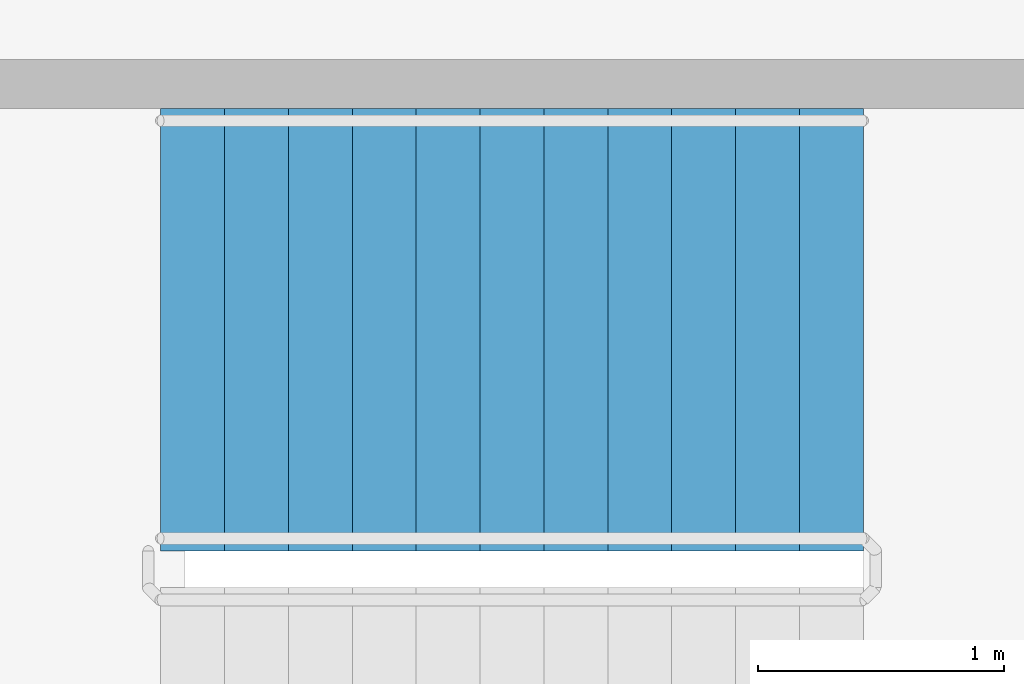
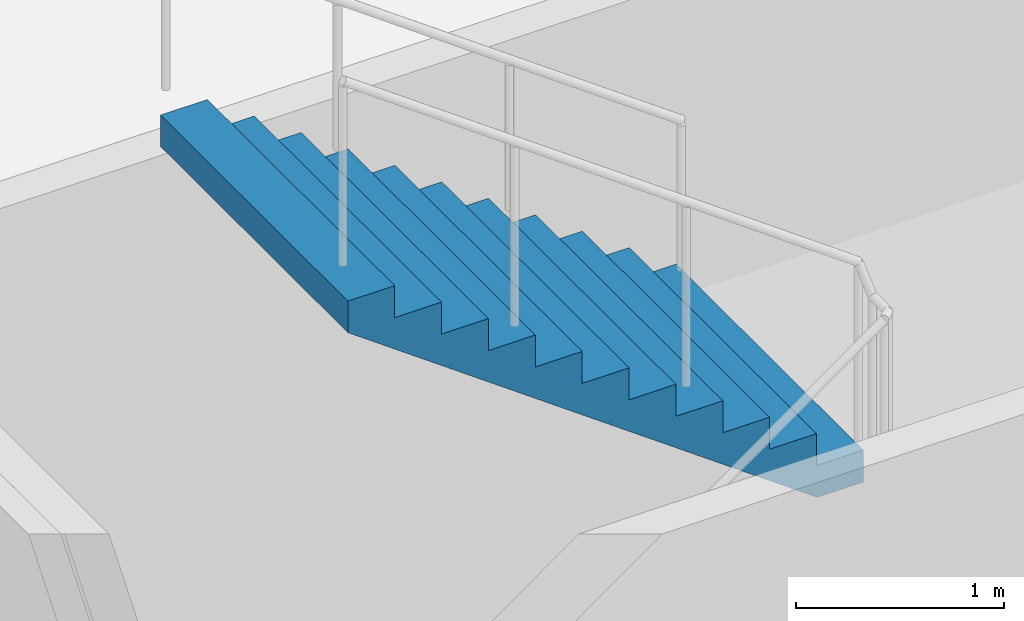
# One storey, part 27 of 49: 1 stair flight, 1 element without a shape of its own.
"""IFC4 building model written with IfcOpenShell, lengths in metres."""

from ifc_helpers import new_model, si_unit, direction, frame, origin, place, context, subcontext, project, spatial, faceted_brep, material, type_object, element, aggregate, save


model = new_model("IFC4")

# Units and contexts
model_context = context("Model", 3, precision=1e-05, world=origin(), true_north=direction((0.0, 1.0)))
body_context = subcontext(model_context, "Body", "Model", "MODEL_VIEW")
ifc_project = project(units=[si_unit("LENGTHUNIT", "METRE"), si_unit("AREAUNIT", "SQUARE_METRE"), si_unit("VOLUMEUNIT", "CUBIC_METRE"), si_unit("PLANEANGLEUNIT", "RADIAN"), si_unit("MASSUNIT", "GRAM", prefix="KILO")], contexts=[model_context])

# Site, building, storey
site_placement = place(None, origin())
site = spatial("IfcSite", under=ifc_project, at=site_placement, CompositionType="ELEMENT")
building_placement = place(site_placement, origin())
building = spatial("IfcBuilding", under=site, at=building_placement, Name="Ipe Terrace Towers", CompositionType="ELEMENT")
storey_placement = place(building_placement, frame((0.0, 0.0, 20.0)))
storey = spatial("IfcBuildingStorey", under=building, at=storey_placement, Name="L04", CompositionType="ELEMENT", Elevation=20.0)

# Stair, stair flight
ifc_material_1 = material(Name="Concrete C30/37", Category="concrete")
stair_type = type_object("IfcStairType", Name="Protected exit stair", PredefinedType="HALF_TURN_STAIR", material=ifc_material_1)
stair_placement = place(storey_placement, origin())
stair = element("IfcStair", 1, at=stair_placement, inside=storey, type_object=stair_type, Name="L04 Podium exit stair PS4", PredefinedType="HALF_TURN_STAIR")
ifc_material_2 = material(Name="Concrete C30/37", Category="concrete")
stair_flight_type = type_object("IfcStairFlightType", Name="Exit stair flight 1800", PredefinedType="STRAIGHT", material=ifc_material_2)
stair_flight_placement = place(storey_placement, frame((-54.409912109375, -20.550048828125, 2.25), z_axis=(0.0, 0.0, 1.0), x_axis=(-1.0, 0.0, 0.0)))
stair_flight = element("IfcStairFlight", 2, at=stair_flight_placement, type_object=stair_flight_type, Name="PS4 flight 2", NumberOfRisers=12, NumberOfTreads=11, PredefinedType="STRAIGHT", RiserHeight=0.1875, TreadLength=0.26, context=body_context, shape_type="Brep", body=[
    faceted_brep([(0.25634765625, -0.89990234375, 0.0), (2.860107421875, -0.89990234375, 1.877685546875), (2.860107421875, -0.89990234375, 2.0625), (2.60009765625, -0.89990234375, 2.0625), (2.60009765625, -0.89990234375, 1.875), (2.340087890625, -0.89990234375, 1.875), (2.340087890625, -0.89990234375, 1.6875), (2.080078125, -0.89990234375, 1.6875), (2.080078125, -0.89990234375, 1.5), (1.820068359375, -0.89990234375, 1.5), (1.820068359375, -0.89990234375, 1.3125), (1.56005859375, -0.89990234375, 1.3125), (1.56005859375, -0.89990234375, 1.125), (1.300048828125, -0.89990234375, 1.125), (1.300048828125, -0.89990234375, 0.9375), (1.0400390625, -0.89990234375, 0.9375), (1.0400390625, -0.89990234375, 0.75), (0.780029296875, -0.89990234375, 0.75), (0.780029296875, -0.89990234375, 0.5625), (0.52001953125, -0.89990234375, 0.5625), (0.52001953125, -0.89990234375, 0.375), (0.260009765625, -0.89990234375, 0.375), (0.260009765625, -0.89990234375, 0.1875), (0.0, -0.89990234375, 0.1875), (0.0, -0.89990234375, 0.0), (0.0, 0.89990234375, 0.0), (0.0, 0.89990234375, 0.1875), (0.260009765625, 0.89990234375, 0.1875), (0.260009765625, 0.89990234375, 0.375), (0.52001953125, 0.89990234375, 0.375), (0.52001953125, 0.89990234375, 0.5625), (0.780029296875, 0.89990234375, 0.5625), (0.780029296875, 0.89990234375, 0.75), (1.0400390625, 0.89990234375, 0.75), (1.0400390625, 0.89990234375, 0.9375), (1.300048828125, 0.89990234375, 0.9375), (1.300048828125, 0.89990234375, 1.125), (1.56005859375, 0.89990234375, 1.125), (1.56005859375, 0.89990234375, 1.3125), (1.820068359375, 0.89990234375, 1.3125), (1.820068359375, 0.89990234375, 1.5), (2.080078125, 0.89990234375, 1.5), (2.080078125, 0.89990234375, 1.6875), (2.340087890625, 0.89990234375, 1.6875), (2.340087890625, 0.89990234375, 1.875), (2.60009765625, 0.89990234375, 1.875), (2.60009765625, 0.89990234375, 2.0625), (2.860107421875, 0.89990234375, 2.0625), (2.860107421875, 0.89990234375, 1.877685546875), (0.25634765625, 0.89990234375, 0.0), (0.0, -0.300048828125, 0.1875), (0.0, -0.1201171875, 0.1875), (0.0, -0.06005859375, 0.1875), (0.0, -0.030029296875, 0.1875), (0.0, -0.010009765625, 0.1875), (0.0, 0.0, 0.1875), (0.0, 0.010009765625, 0.1875), (0.0, 0.030029296875, 0.1875), (0.0, 0.06005859375, 0.1875), (0.0, 0.1201171875, 0.1875), (0.0, 0.300048828125, 0.1875), (0.0, 0.300048828125, 0.0), (0.0, 0.1201171875, 0.0), (0.0, 0.06005859375, 0.0), (0.0, 0.030029296875, 0.0), (0.0, 0.010009765625, 0.0), (0.0, 0.0, 0.0), (0.0, -0.010009765625, 0.0), (0.0, -0.030029296875, 0.0), (0.0, -0.06005859375, 0.0), (0.0, -0.1201171875, 0.0), (0.0, -0.300048828125, 0.0), (0.260009765625, -0.300048828125, 0.1875), (0.260009765625, -0.1201171875, 0.1875), (0.260009765625, -0.06005859375, 0.1875), (0.260009765625, -0.030029296875, 0.1875), (0.260009765625, -0.010009765625, 0.1875), (0.260009765625, 0.0, 0.1875), (0.260009765625, 0.010009765625, 0.1875), (0.260009765625, 0.030029296875, 0.1875), (0.260009765625, 0.06005859375, 0.1875), (0.260009765625, 0.1201171875, 0.1875), (0.260009765625, 0.300048828125, 0.1875), (0.260009765625, -0.300048828125, 0.375), (0.260009765625, -0.1201171875, 0.375), (0.260009765625, -0.06005859375, 0.375), (0.260009765625, -0.030029296875, 0.375), (0.260009765625, -0.010009765625, 0.375), (0.260009765625, 0.0, 0.375), (0.260009765625, 0.010009765625, 0.375), (0.260009765625, 0.030029296875, 0.375), (0.260009765625, 0.06005859375, 0.375), (0.260009765625, 0.1201171875, 0.375), (0.260009765625, 0.300048828125, 0.375), (0.52001953125, -0.300048828125, 0.375), (0.52001953125, -0.1201171875, 0.375), (0.52001953125, -0.06005859375, 0.375), (0.52001953125, -0.030029296875, 0.375), (0.52001953125, -0.010009765625, 0.375), (0.52001953125, 0.0, 0.375), (0.52001953125, 0.010009765625, 0.375), (0.52001953125, 0.030029296875, 0.375), (0.52001953125, 0.06005859375, 0.375), (0.52001953125, 0.1201171875, 0.375), (0.52001953125, 0.300048828125, 0.375), (0.52001953125, -0.300048828125, 0.5625), (0.52001953125, -0.1201171875, 0.5625), (0.52001953125, -0.06005859375, 0.5625), (0.52001953125, -0.030029296875, 0.5625), (0.52001953125, -0.010009765625, 0.5625), (0.52001953125, 0.0, 0.5625), (0.52001953125, 0.010009765625, 0.5625), (0.52001953125, 0.030029296875, 0.5625), (0.52001953125, 0.06005859375, 0.5625), (0.52001953125, 0.1201171875, 0.5625), (0.52001953125, 0.300048828125, 0.5625), (0.780029296875, -0.300048828125, 0.5625), (0.780029296875, -0.1201171875, 0.5625), (0.780029296875, -0.06005859375, 0.5625), (0.780029296875, -0.030029296875, 0.5625), (0.780029296875, -0.010009765625, 0.5625), (0.780029296875, 0.0, 0.5625), (0.780029296875, 0.010009765625, 0.5625), (0.780029296875, 0.030029296875, 0.5625), (0.780029296875, 0.06005859375, 0.5625), (0.780029296875, 0.1201171875, 0.5625), (0.780029296875, 0.300048828125, 0.5625), (0.780029296875, -0.300048828125, 0.75), (0.780029296875, -0.1201171875, 0.75), (0.780029296875, -0.06005859375, 0.75), (0.780029296875, -0.030029296875, 0.75), (0.780029296875, -0.010009765625, 0.75), (0.780029296875, 0.0, 0.75), (0.780029296875, 0.010009765625, 0.75), (0.780029296875, 0.030029296875, 0.75), (0.780029296875, 0.06005859375, 0.75), (0.780029296875, 0.1201171875, 0.75), (0.780029296875, 0.300048828125, 0.75), (1.0400390625, -0.300048828125, 0.75), (1.0400390625, -0.1201171875, 0.75), (1.0400390625, -0.06005859375, 0.75), (1.0400390625, -0.030029296875, 0.75), (1.0400390625, -0.010009765625, 0.75), (1.0400390625, 0.0, 0.75), (1.0400390625, 0.010009765625, 0.75), (1.0400390625, 0.030029296875, 0.75), (1.0400390625, 0.06005859375, 0.75), (1.0400390625, 0.1201171875, 0.75), (1.0400390625, 0.300048828125, 0.75), (1.0400390625, -0.300048828125, 0.9375), (1.0400390625, -0.1201171875, 0.9375), (1.0400390625, -0.06005859375, 0.9375), (1.0400390625, -0.030029296875, 0.9375), (1.0400390625, -0.010009765625, 0.9375), (1.0400390625, 0.0, 0.9375), (1.0400390625, 0.010009765625, 0.9375), (1.0400390625, 0.030029296875, 0.9375), (1.0400390625, 0.06005859375, 0.9375), (1.0400390625, 0.1201171875, 0.9375), (1.0400390625, 0.300048828125, 0.9375), (1.300048828125, -0.300048828125, 0.9375), (1.300048828125, -0.1201171875, 0.9375), (1.300048828125, -0.06005859375, 0.9375), (1.300048828125, -0.030029296875, 0.9375), (1.300048828125, -0.010009765625, 0.9375), (1.300048828125, 0.0, 0.9375), (1.300048828125, 0.010009765625, 0.9375), (1.300048828125, 0.030029296875, 0.9375), (1.300048828125, 0.06005859375, 0.9375), (1.300048828125, 0.1201171875, 0.9375), (1.300048828125, 0.300048828125, 0.9375), (1.300048828125, -0.300048828125, 1.125), (1.300048828125, -0.1201171875, 1.125), (1.300048828125, -0.06005859375, 1.125), (1.300048828125, -0.030029296875, 1.125), (1.300048828125, -0.010009765625, 1.125), (1.300048828125, 0.0, 1.125), (1.300048828125, 0.010009765625, 1.125), (1.300048828125, 0.030029296875, 1.125), (1.300048828125, 0.06005859375, 1.125), (1.300048828125, 0.1201171875, 1.125), (1.300048828125, 0.300048828125, 1.125), (1.56005859375, -0.300048828125, 1.125), (1.56005859375, -0.1201171875, 1.125), (1.56005859375, -0.06005859375, 1.125), (1.56005859375, -0.030029296875, 1.125), (1.56005859375, -0.010009765625, 1.125), (1.56005859375, 0.0, 1.125), (1.56005859375, 0.010009765625, 1.125), (1.56005859375, 0.030029296875, 1.125), (1.56005859375, 0.06005859375, 1.125), (1.56005859375, 0.1201171875, 1.125), (1.56005859375, 0.300048828125, 1.125), (1.56005859375, -0.300048828125, 1.3125), (1.56005859375, -0.1201171875, 1.3125), (1.56005859375, -0.06005859375, 1.3125), (1.56005859375, -0.030029296875, 1.3125), (1.56005859375, -0.010009765625, 1.3125), (1.56005859375, 0.0, 1.3125), (1.56005859375, 0.010009765625, 1.3125), (1.56005859375, 0.030029296875, 1.3125), (1.56005859375, 0.06005859375, 1.3125), (1.56005859375, 0.1201171875, 1.3125), (1.56005859375, 0.300048828125, 1.3125), (1.820068359375, -0.300048828125, 1.3125), (1.820068359375, -0.1201171875, 1.3125), (1.820068359375, -0.06005859375, 1.3125), (1.820068359375, -0.030029296875, 1.3125), (1.820068359375, -0.010009765625, 1.3125), (1.820068359375, 0.0, 1.3125), (1.820068359375, 0.010009765625, 1.3125), (1.820068359375, 0.030029296875, 1.3125), (1.820068359375, 0.06005859375, 1.3125), (1.820068359375, 0.1201171875, 1.3125), (1.820068359375, 0.300048828125, 1.3125), (1.820068359375, -0.300048828125, 1.5), (1.820068359375, -0.1201171875, 1.5), (1.820068359375, -0.06005859375, 1.5), (1.820068359375, -0.030029296875, 1.5), (1.820068359375, -0.010009765625, 1.5), (1.820068359375, 0.0, 1.5), (1.820068359375, 0.010009765625, 1.5), (1.820068359375, 0.030029296875, 1.5), (1.820068359375, 0.06005859375, 1.5), (1.820068359375, 0.1201171875, 1.5), (1.820068359375, 0.300048828125, 1.5), (2.080078125, -0.300048828125, 1.5), (2.080078125, -0.1201171875, 1.5), (2.080078125, -0.06005859375, 1.5), (2.080078125, -0.030029296875, 1.5), (2.080078125, -0.010009765625, 1.5), (2.080078125, 0.0, 1.5), (2.080078125, 0.010009765625, 1.5), (2.080078125, 0.030029296875, 1.5), (2.080078125, 0.06005859375, 1.5), (2.080078125, 0.1201171875, 1.5), (2.080078125, 0.300048828125, 1.5), (2.080078125, -0.300048828125, 1.6875), (2.080078125, -0.1201171875, 1.6875), (2.080078125, -0.06005859375, 1.6875), (2.080078125, -0.030029296875, 1.6875), (2.080078125, -0.010009765625, 1.6875), (2.080078125, 0.0, 1.6875), (2.080078125, 0.010009765625, 1.6875), (2.080078125, 0.030029296875, 1.6875), (2.080078125, 0.06005859375, 1.6875), (2.080078125, 0.1201171875, 1.6875), (2.080078125, 0.300048828125, 1.6875), (2.340087890625, -0.300048828125, 1.6875), (2.340087890625, -0.1201171875, 1.6875), (2.340087890625, -0.06005859375, 1.6875), (2.340087890625, -0.030029296875, 1.6875), (2.340087890625, -0.010009765625, 1.6875), (2.340087890625, 0.0, 1.6875), (2.340087890625, 0.010009765625, 1.6875), (2.340087890625, 0.030029296875, 1.6875), (2.340087890625, 0.06005859375, 1.6875), (2.340087890625, 0.1201171875, 1.6875), (2.340087890625, 0.300048828125, 1.6875), (2.340087890625, -0.300048828125, 1.875), (2.340087890625, -0.1201171875, 1.875), (2.340087890625, -0.06005859375, 1.875), (2.340087890625, -0.030029296875, 1.875), (2.340087890625, -0.010009765625, 1.875), (2.340087890625, 0.0, 1.875), (2.340087890625, 0.010009765625, 1.875), (2.340087890625, 0.030029296875, 1.875), (2.340087890625, 0.06005859375, 1.875), (2.340087890625, 0.1201171875, 1.875), (2.340087890625, 0.300048828125, 1.875), (2.60009765625, -0.300048828125, 1.875), (2.60009765625, -0.1201171875, 1.875), (2.60009765625, -0.06005859375, 1.875), (2.60009765625, -0.030029296875, 1.875), (2.60009765625, -0.010009765625, 1.875), (2.60009765625, 0.0, 1.875), (2.60009765625, 0.010009765625, 1.875), (2.60009765625, 0.030029296875, 1.875), (2.60009765625, 0.06005859375, 1.875), (2.60009765625, 0.1201171875, 1.875), (2.60009765625, 0.300048828125, 1.875), (2.60009765625, -0.300048828125, 2.0625), (2.60009765625, -0.1201171875, 2.0625), (2.60009765625, -0.06005859375, 2.0625), (2.60009765625, -0.030029296875, 2.0625), (2.60009765625, -0.010009765625, 2.0625), (2.60009765625, 0.0, 2.0625), (2.60009765625, 0.010009765625, 2.0625), (2.60009765625, 0.030029296875, 2.0625), (2.60009765625, 0.06005859375, 2.0625), (2.60009765625, 0.1201171875, 2.0625), (2.60009765625, 0.300048828125, 2.0625), (2.860107421875, -0.300048828125, 2.0625), (2.860107421875, -0.1201171875, 2.0625), (2.860107421875, -0.06005859375, 2.0625), (2.860107421875, -0.030029296875, 2.0625), (2.860107421875, -0.010009765625, 2.0625), (2.860107421875, 0.0, 2.0625), (2.860107421875, 0.010009765625, 2.0625), (2.860107421875, 0.030029296875, 2.0625), (2.860107421875, 0.06005859375, 2.0625), (2.860107421875, 0.1201171875, 2.0625), (2.860107421875, 0.300048828125, 2.0625), (2.860107421875, -0.300048828125, 1.877685546875), (2.860107421875, -0.1201171875, 1.877685546875), (2.860107421875, -0.06005859375, 1.877685546875), (2.860107421875, -0.030029296875, 1.877685546875), (2.860107421875, -0.010009765625, 1.877685546875), (2.860107421875, 0.0, 1.877685546875), (2.860107421875, 0.010009765625, 1.877685546875), (2.860107421875, 0.030029296875, 1.877685546875), (2.860107421875, 0.06005859375, 1.877685546875), (2.860107421875, 0.1201171875, 1.877685546875), (2.860107421875, 0.300048828125, 1.877685546875), (0.25634765625, -0.300048828125, 0.0), (0.25634765625, -0.1201171875, 0.0), (0.25634765625, -0.06005859375, 0.0), (0.25634765625, -0.030029296875, 0.0), (0.25634765625, -0.010009765625, 0.0), (0.25634765625, 0.0, 0.0), (0.25634765625, 0.010009765625, 0.0), (0.25634765625, 0.030029296875, 0.0), (0.25634765625, 0.06005859375, 0.0), (0.25634765625, 0.1201171875, 0.0), (0.25634765625, 0.300048828125, 0.0)], [[[0, 1, 2, 3, 4, 5, 6, 7, 8, 9, 10, 11, 12, 13, 14, 15, 16, 17, 18, 19, 20, 21, 22, 23, 24]], [[25, 26, 27, 28, 29, 30, 31, 32, 33, 34, 35, 36, 37, 38, 39, 40, 41, 42, 43, 44, 45, 46, 47, 48, 49]], [[23, 50, 51, 52, 53, 54, 55, 56, 57, 58, 59, 60, 26, 25, 61, 62, 63, 64, 65, 66, 67, 68, 69, 70, 71, 24]], [[22, 72, 73, 74, 75, 76, 77, 78, 79, 80, 81, 82, 27, 26, 60, 59, 58, 57, 56, 55, 54, 53, 52, 51, 50, 23]], [[21, 83, 84, 85, 86, 87, 88, 89, 90, 91, 92, 93, 28, 27, 82, 81, 80, 79, 78, 77, 76, 75, 74, 73, 72, 22]], [[20, 94, 95, 96, 97, 98, 99, 100, 101, 102, 103, 104, 29, 28, 93, 92, 91, 90, 89, 88, 87, 86, 85, 84, 83, 21]], [[19, 105, 106, 107, 108, 109, 110, 111, 112, 113, 114, 115, 30, 29, 104, 103, 102, 101, 100, 99, 98, 97, 96, 95, 94, 20]], [[18, 116, 117, 118, 119, 120, 121, 122, 123, 124, 125, 126, 31, 30, 115, 114, 113, 112, 111, 110, 109, 108, 107, 106, 105, 19]], [[17, 127, 128, 129, 130, 131, 132, 133, 134, 135, 136, 137, 32, 31, 126, 125, 124, 123, 122, 121, 120, 119, 118, 117, 116, 18]], [[16, 138, 139, 140, 141, 142, 143, 144, 145, 146, 147, 148, 33, 32, 137, 136, 135, 134, 133, 132, 131, 130, 129, 128, 127, 17]], [[15, 149, 150, 151, 152, 153, 154, 155, 156, 157, 158, 159, 34, 33, 148, 147, 146, 145, 144, 143, 142, 141, 140, 139, 138, 16]], [[14, 160, 161, 162, 163, 164, 165, 166, 167, 168, 169, 170, 35, 34, 159, 158, 157, 156, 155, 154, 153, 152, 151, 150, 149, 15]], [[13, 171, 172, 173, 174, 175, 176, 177, 178, 179, 180, 181, 36, 35, 170, 169, 168, 167, 166, 165, 164, 163, 162, 161, 160, 14]], [[12, 182, 183, 184, 185, 186, 187, 188, 189, 190, 191, 192, 37, 36, 181, 180, 179, 178, 177, 176, 175, 174, 173, 172, 171, 13]], [[11, 193, 194, 195, 196, 197, 198, 199, 200, 201, 202, 203, 38, 37, 192, 191, 190, 189, 188, 187, 186, 185, 184, 183, 182, 12]], [[10, 204, 205, 206, 207, 208, 209, 210, 211, 212, 213, 214, 39, 38, 203, 202, 201, 200, 199, 198, 197, 196, 195, 194, 193, 11]], [[9, 215, 216, 217, 218, 219, 220, 221, 222, 223, 224, 225, 40, 39, 214, 213, 212, 211, 210, 209, 208, 207, 206, 205, 204, 10]], [[8, 226, 227, 228, 229, 230, 231, 232, 233, 234, 235, 236, 41, 40, 225, 224, 223, 222, 221, 220, 219, 218, 217, 216, 215, 9]], [[7, 237, 238, 239, 240, 241, 242, 243, 244, 245, 246, 247, 42, 41, 236, 235, 234, 233, 232, 231, 230, 229, 228, 227, 226, 8]], [[6, 248, 249, 250, 251, 252, 253, 254, 255, 256, 257, 258, 43, 42, 247, 246, 245, 244, 243, 242, 241, 240, 239, 238, 237, 7]], [[5, 259, 260, 261, 262, 263, 264, 265, 266, 267, 268, 269, 44, 43, 258, 257, 256, 255, 254, 253, 252, 251, 250, 249, 248, 6]], [[4, 270, 271, 272, 273, 274, 275, 276, 277, 278, 279, 280, 45, 44, 269, 268, 267, 266, 265, 264, 263, 262, 261, 260, 259, 5]], [[3, 281, 282, 283, 284, 285, 286, 287, 288, 289, 290, 291, 46, 45, 280, 279, 278, 277, 276, 275, 274, 273, 272, 271, 270, 4]], [[2, 292, 293, 294, 295, 296, 297, 298, 299, 300, 301, 302, 47, 46, 291, 290, 289, 288, 287, 286, 285, 284, 283, 282, 281, 3]], [[1, 303, 304, 305, 306, 307, 308, 309, 310, 311, 312, 313, 48, 47, 302, 301, 300, 299, 298, 297, 296, 295, 294, 293, 292, 2]], [[0, 314, 315, 316, 317, 318, 319, 320, 321, 322, 323, 324, 49, 48, 313, 312, 311, 310, 309, 308, 307, 306, 305, 304, 303, 1]], [[24, 71, 70, 69, 68, 67, 66, 65, 64, 63, 62, 61, 25, 49, 324, 323, 322, 321, 320, 319, 318, 317, 316, 315, 314, 0]]]),
])
aggregate(stair, [stair_flight])

save(model, "model.ifc")
